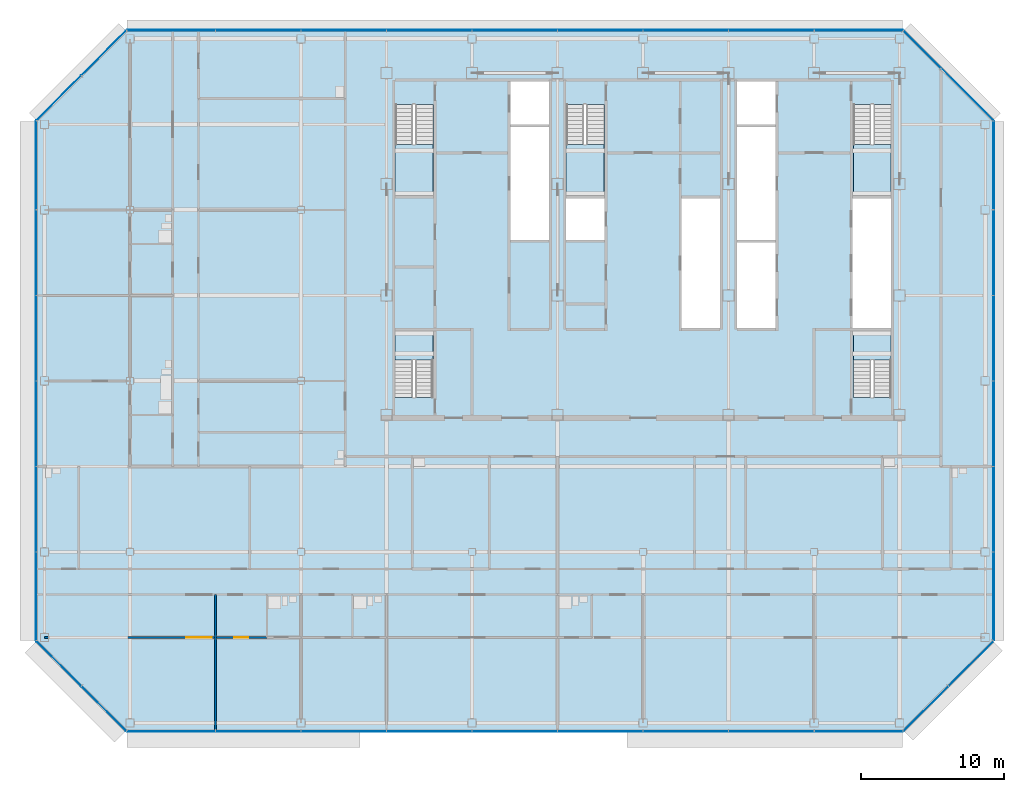
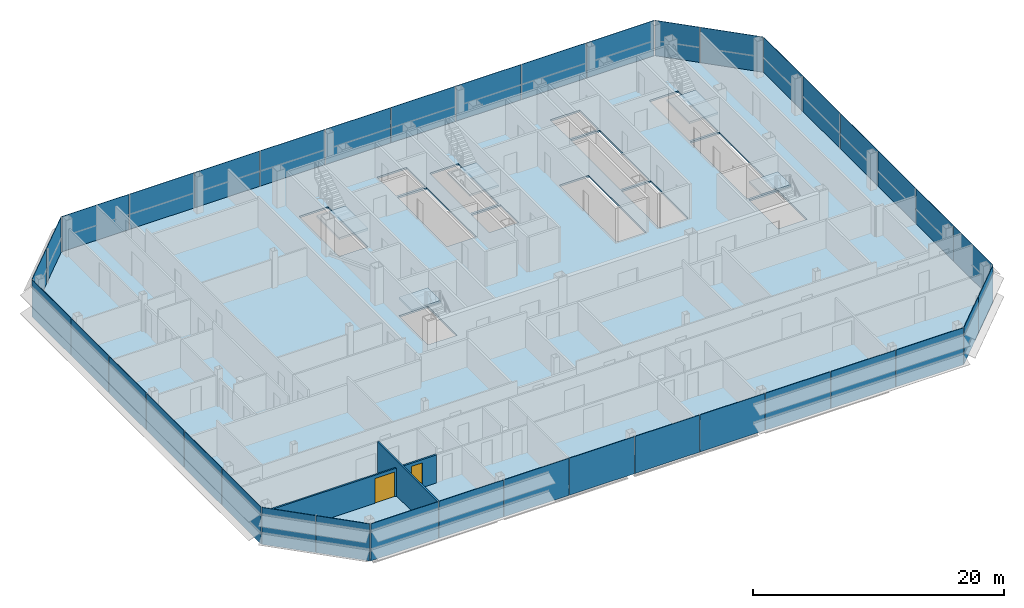
# One storey, part 19 of 27: 38 plates, 6 slabs, 2 doors, 2 walls, 2 openings, 13 elements without a shape of their own.
"""IFC4 building model written with IfcOpenShell, lengths in metres."""

from ifc_helpers import new_model, si_unit, direction, frame, frame_2d, origin, origin_2d, place, context, subcontext, project, spatial, polyline, rectangle, outline, extrude, material, layer, layer_set, type_object, element, fill, aggregate, save


model = new_model("IFC4")

# Units and contexts
model_context = context("Model", 3, precision=1e-05, world=origin(), true_north=direction((0.0, 1.0)))
body_context = subcontext(model_context, "Body", "Model", "MODEL_VIEW")
ifc_project = project(units=[si_unit("LENGTHUNIT", "METRE"), si_unit("AREAUNIT", "SQUARE_METRE"), si_unit("VOLUMEUNIT", "CUBIC_METRE"), si_unit("PLANEANGLEUNIT", "RADIAN"), si_unit("MASSUNIT", "GRAM", prefix="KILO")], contexts=[model_context])

# Site, building, storey
site_placement = place(None, origin())
site = spatial("IfcSite", under=ifc_project, at=site_placement, CompositionType="ELEMENT")
building_placement = place(site_placement, origin())
building = spatial("IfcBuilding", under=site, at=building_placement, Name="Sorahane Residences", CompositionType="ELEMENT")
storey_placement = place(building_placement, frame((0.0, 0.0, 294.39990234375)))
storey = spatial("IfcBuildingStorey", under=building, at=storey_placement, Name="L69", CompositionType="ELEMENT", Elevation=294.39990234375)

# Slab
ifc_material_1 = material(Name="Concrete C35", Category="concrete")
ifc_layer_1 = layer(ifc_material_1, 0.179931640625)
ifc_layer_set_1 = layer_set([ifc_layer_1], Name="Composite floor slab 180 mm Concrete C35")
slab_type_1 = type_object("IfcSlabType", Name="Composite floor slab 180 mm Concrete C35", PredefinedType="FLOOR", material=ifc_layer_set_1)
slab_1_placement = place(storey_placement, frame((0.0, 0.0, -0.179931640625)))
element("IfcSlab", 1, at=slab_1_placement, inside=storey, type_object=slab_type_1, Name="Slab L69", PredefinedType="FLOOR", context=body_context, shape_type="SweptSolid", body=[
    extrude(outline(polyline([(-12.24853515625, -0.60009765625), (-18.60009765625, 5.75146484375), (-18.60009765625, 42.24853515625), (-12.24853515625, 48.60009765625), (42.24853515625, 48.60009765625), (48.60009765625, 42.24853515625), (48.60009765625, 5.75146484375), (42.24853515625, -0.60009765625), (-12.24853515625, -0.60009765625)]), holes=[polyline([(38.699951171875, 27.699951171875), (41.39990234375, 27.699951171875), (41.39990234375, 36.800048828125), (38.699951171875, 36.800048828125), (38.699951171875, 27.699951171875)]), polyline([(30.60009765625, 27.699951171875), (33.300048828125, 27.699951171875), (33.300048828125, 33.699951171875), (30.60009765625, 33.699951171875), (30.60009765625, 27.699951171875)]), polyline([(30.60009765625, 42.0), (33.300048828125, 42.0), (33.300048828125, 45.0), (30.60009765625, 45.0), (30.60009765625, 42.0)]), polyline([(14.699951171875, 42.0), (17.39990234375, 42.0), (17.39990234375, 45.0), (14.699951171875, 45.0), (14.699951171875, 42.0)]), polyline([(6.60009765625, 43.39990234375), (6.60009765625, 37.0), (9.25, 37.0), (9.25, 43.39990234375), (6.60009765625, 43.39990234375)]), polyline([(38.75, 43.39990234375), (38.75, 37.0), (41.39990234375, 37.0), (41.39990234375, 43.39990234375), (38.75, 43.39990234375)]), polyline([(18.60009765625, 43.39990234375), (18.60009765625, 37.0), (21.25, 37.0), (21.25, 43.39990234375), (18.60009765625, 43.39990234375)]), polyline([(9.25, 22.85009765625), (9.25, 27.5), (6.60009765625, 27.5), (6.60009765625, 22.85009765625), (9.25, 22.85009765625)]), polyline([(41.39990234375, 22.85009765625), (41.39990234375, 27.5), (38.75, 27.5), (38.75, 22.85009765625), (41.39990234375, 22.85009765625)]), polyline([(14.699951171875, 33.89990234375), (17.39990234375, 33.89990234375), (17.39990234375, 41.800048828125), (14.699951171875, 41.800048828125), (14.699951171875, 33.89990234375)]), polyline([(30.60009765625, 33.89990234375), (33.300048828125, 33.89990234375), (33.300048828125, 41.800048828125), (30.60009765625, 41.800048828125), (30.60009765625, 33.89990234375)]), polyline([(18.60009765625, 33.89990234375), (21.300048828125, 33.89990234375), (21.300048828125, 36.800048828125), (18.60009765625, 36.800048828125), (18.60009765625, 33.89990234375)]), polyline([(26.699951171875, 27.699951171875), (29.39990234375, 27.699951171875), (29.39990234375, 36.800048828125), (26.699951171875, 36.800048828125), (26.699951171875, 27.699951171875)])]), origin(), (0.0, 0.0, 1.0), 0.179931640625),
])

# Curtain wall, plates
ifc_material_2 = material(Name="Dark low-e glass and black anodised aluminium", Category="aluminium")
curtain_wall_type_1 = type_object("IfcCurtainWallType", Name="Curtain wall CW-1 Typical unitised wall", PredefinedType="NOTDEFINED", material=ifc_material_2)
curtain_wall_1_placement = place(storey_placement, origin())
curtain_wall_1 = element("IfcCurtainWall", 2, at=curtain_wall_1_placement, inside=storey, type_object=curtain_wall_type_1, Name="CW-1 curtain wall L69 S1", PredefinedType="NOTDEFINED")
ifc_material_3 = material(Name="Dark low-e glass with black ceramic frit", Category="glass")
ifc_layer_2 = layer(ifc_material_3, 0.0400390625)
ifc_layer_set_2 = layer_set([ifc_layer_2], Name="Curtain wall glass panel dark low-e with black frit spandrel band")
plate_type = type_object("IfcPlateType", Name="Curtain wall glass panel dark low-e with black frit spandrel band", PredefinedType="CURTAIN_PANEL", material=ifc_layer_set_2)
plate_1_placement = place(storey_placement, frame((-9.11181640625, -0.60009765625, -0.179931640625), z_axis=(0.0, 0.0, 1.0), x_axis=(1.0, 0.0, 0.0)))
plate_1 = element("IfcPlate", 3, at=plate_1_placement, type_object=plate_type, Name="CW-1 glass panel L69 S1.1", PredefinedType="CURTAIN_PANEL", context=body_context, shape_type="SweptSolid", body=[
    extrude(rectangle(XDim=6.173583984375, YDim=0.0400390625, at=origin_2d()), origin(), (0.0, 0.0, 1.0), 3.60009765625),
])
plate_2_placement = place(storey_placement, frame((-3.0, -0.60009765625, -0.179931640625), z_axis=(0.0, 0.0, 1.0), x_axis=(1.0, 0.0, 0.0)))
plate_2 = element("IfcPlate", 4, at=plate_2_placement, type_object=plate_type, Name="CW-1 glass panel L69 S1.2", PredefinedType="CURTAIN_PANEL", context=body_context, shape_type="SweptSolid", body=[
    extrude(rectangle(XDim=5.949951171875, YDim=0.0400390625, at=origin_2d()), origin(), (0.0, 0.0, 1.0), 3.60009765625),
])
plate_3_placement = place(storey_placement, frame((3.0, -0.60009765625, -0.179931640625), z_axis=(0.0, 0.0, 1.0), x_axis=(1.0, 0.0, 0.0)))
plate_3 = element("IfcPlate", 5, at=plate_3_placement, type_object=plate_type, Name="CW-1 glass panel L69 S1.3", PredefinedType="CURTAIN_PANEL", context=body_context, shape_type="SweptSolid", body=[
    extrude(rectangle(XDim=5.949951171875, YDim=0.0400390625, at=origin_2d()), origin(), (0.0, 0.0, 1.0), 3.60009765625),
])
plate_4_placement = place(storey_placement, frame((9.0, -0.60009765625, -0.179931640625), z_axis=(0.0, 0.0, 1.0), x_axis=(1.0, 0.0, 0.0)))
plate_4 = element("IfcPlate", 6, at=plate_4_placement, type_object=plate_type, Name="CW-1 glass panel L69 S1.4", PredefinedType="CURTAIN_PANEL", context=body_context, shape_type="SweptSolid", body=[
    extrude(rectangle(XDim=5.949951171875, YDim=0.0400390625, at=origin_2d()), origin(), (0.0, 0.0, 1.0), 3.60009765625),
])
plate_5_placement = place(storey_placement, frame((15.0, -0.60009765625, -0.179931640625), z_axis=(0.0, 0.0, 1.0), x_axis=(1.0, 0.0, 0.0)))
plate_5 = element("IfcPlate", 7, at=plate_5_placement, type_object=plate_type, Name="CW-1 glass panel L69 S1.5", PredefinedType="CURTAIN_PANEL", context=body_context, shape_type="SweptSolid", body=[
    extrude(rectangle(XDim=5.949951171875, YDim=0.0400390625, at=origin_2d()), origin(), (0.0, 0.0, 1.0), 3.60009765625),
])
plate_6_placement = place(storey_placement, frame((21.0, -0.60009765625, -0.179931640625), z_axis=(0.0, 0.0, 1.0), x_axis=(1.0, 0.0, 0.0)))
plate_6 = element("IfcPlate", 8, at=plate_6_placement, type_object=plate_type, Name="CW-1 glass panel L69 S1.6", PredefinedType="CURTAIN_PANEL", context=body_context, shape_type="SweptSolid", body=[
    extrude(rectangle(XDim=5.949951171875, YDim=0.0400390625, at=origin_2d()), origin(), (0.0, 0.0, 1.0), 3.60009765625),
])
plate_7_placement = place(storey_placement, frame((27.0, -0.60009765625, -0.179931640625), z_axis=(0.0, 0.0, 1.0), x_axis=(1.0, 0.0, 0.0)))
plate_7 = element("IfcPlate", 9, at=plate_7_placement, type_object=plate_type, Name="CW-1 glass panel L69 S1.7", PredefinedType="CURTAIN_PANEL", context=body_context, shape_type="SweptSolid", body=[
    extrude(rectangle(XDim=5.949951171875, YDim=0.0400390625, at=origin_2d()), origin(), (0.0, 0.0, 1.0), 3.60009765625),
])
plate_8_placement = place(storey_placement, frame((33.0, -0.60009765625, -0.179931640625), z_axis=(0.0, 0.0, 1.0), x_axis=(1.0, 0.0, 0.0)))
plate_8 = element("IfcPlate", 10, at=plate_8_placement, type_object=plate_type, Name="CW-1 glass panel L69 S1.8", PredefinedType="CURTAIN_PANEL", context=body_context, shape_type="SweptSolid", body=[
    extrude(rectangle(XDim=5.949951171875, YDim=0.0400390625, at=origin_2d()), origin(), (0.0, 0.0, 1.0), 3.60009765625),
])
plate_9_placement = place(storey_placement, frame((39.11181640625, -0.60009765625, -0.179931640625), z_axis=(0.0, 0.0, 1.0), x_axis=(1.0, 0.0, 0.0)))
plate_9 = element("IfcPlate", 11, at=plate_9_placement, type_object=plate_type, Name="CW-1 glass panel L69 S1.9", PredefinedType="CURTAIN_PANEL", context=body_context, shape_type="SweptSolid", body=[
    extrude(rectangle(XDim=6.173583984375, YDim=0.0400390625, at=origin_2d()), origin(), (0.0, 0.0, 1.0), 3.60009765625),
])
aggregate(curtain_wall_1, [plate_1, plate_2, plate_3, plate_4, plate_5, plate_6, plate_7, plate_8, plate_9])

ifc_material_4 = material(Name="Dark low-e glass and black anodised aluminium", Category="aluminium")
curtain_wall_type_2 = type_object("IfcCurtainWallType", Name="Curtain wall CW-2 Chamfer unitised wall", PredefinedType="NOTDEFINED", material=ifc_material_4)
curtain_wall_2_placement = place(storey_placement, origin())
curtain_wall_2 = element("IfcCurtainWall", 12, at=curtain_wall_2_placement, inside=storey, type_object=curtain_wall_type_2, Name="CW-2 curtain wall L69 SE1", PredefinedType="NOTDEFINED")
plate_10_placement = place(storey_placement, frame((43.84521484375, 0.996826171875, -0.179931640625), z_axis=(0.0, 0.0, 1.0), x_axis=(0.707106781187, 0.707106781187, 0.0)))
plate_10 = element("IfcPlate", 13, at=plate_10_placement, type_object=plate_type, Name="CW-2 glass panel L69 SE1.1", PredefinedType="CURTAIN_PANEL", context=body_context, shape_type="SweptSolid", body=[
    extrude(rectangle(XDim=4.416259765625, YDim=0.0400390625, at=origin_2d()), origin(), (0.0, 0.0, 1.0), 3.60009765625),
])
plate_11_placement = place(storey_placement, frame((47.003173828125, 4.15478515625, -0.179931640625), z_axis=(0.0, 0.0, 1.0), x_axis=(0.707106781187, 0.707106781187, 0.0)))
plate_11 = element("IfcPlate", 14, at=plate_11_placement, type_object=plate_type, Name="CW-2 glass panel L69 SE1.2", PredefinedType="CURTAIN_PANEL", context=body_context, shape_type="SweptSolid", body=[
    extrude(rectangle(XDim=4.416259765625, YDim=0.0400390625, at=origin_2d()), origin(), (0.0, 0.0, 1.0), 3.60009765625),
])
aggregate(curtain_wall_2, [plate_10, plate_11])

curtain_wall_3_placement = place(storey_placement, origin())
curtain_wall_3 = element("IfcCurtainWall", 15, at=curtain_wall_3_placement, inside=storey, type_object=curtain_wall_type_1, Name="CW-1 curtain wall L69 E1", PredefinedType="NOTDEFINED")
plate_12_placement = place(storey_placement, frame((48.60009765625, 8.88818359375, -0.179931640625), z_axis=(0.0, 0.0, 1.0), x_axis=(0.0, 1.0, 0.0)))
plate_12 = element("IfcPlate", 16, at=plate_12_placement, type_object=plate_type, Name="CW-1 glass panel L69 E1.1", PredefinedType="CURTAIN_PANEL", context=body_context, shape_type="SweptSolid", body=[
    extrude(rectangle(XDim=6.173583984375, YDim=0.0400390625, at=origin_2d()), origin(), (0.0, 0.0, 1.0), 3.60009765625),
])
plate_13_placement = place(storey_placement, frame((48.60009765625, 15.0, -0.179931640625), z_axis=(0.0, 0.0, 1.0), x_axis=(0.0, 1.0, 0.0)))
plate_13 = element("IfcPlate", 17, at=plate_13_placement, type_object=plate_type, Name="CW-1 glass panel L69 E1.2", PredefinedType="CURTAIN_PANEL", context=body_context, shape_type="SweptSolid", body=[
    extrude(rectangle(XDim=5.949951171875, YDim=0.0400390625, at=origin_2d()), origin(), (0.0, 0.0, 1.0), 3.60009765625),
])
plate_14_placement = place(storey_placement, frame((48.60009765625, 21.0, -0.179931640625), z_axis=(0.0, 0.0, 1.0), x_axis=(0.0, 1.0, 0.0)))
plate_14 = element("IfcPlate", 18, at=plate_14_placement, type_object=plate_type, Name="CW-1 glass panel L69 E1.3", PredefinedType="CURTAIN_PANEL", context=body_context, shape_type="SweptSolid", body=[
    extrude(rectangle(XDim=5.949951171875, YDim=0.0400390625, at=origin_2d()), origin(), (0.0, 0.0, 1.0), 3.60009765625),
])
plate_15_placement = place(storey_placement, frame((48.60009765625, 27.0, -0.179931640625), z_axis=(0.0, 0.0, 1.0), x_axis=(0.0, 1.0, 0.0)))
plate_15 = element("IfcPlate", 19, at=plate_15_placement, type_object=plate_type, Name="CW-1 glass panel L69 E1.4", PredefinedType="CURTAIN_PANEL", context=body_context, shape_type="SweptSolid", body=[
    extrude(rectangle(XDim=5.949951171875, YDim=0.0400390625, at=origin_2d()), origin(), (0.0, 0.0, 1.0), 3.60009765625),
])
plate_16_placement = place(storey_placement, frame((48.60009765625, 33.0, -0.179931640625), z_axis=(0.0, 0.0, 1.0), x_axis=(0.0, 1.0, 0.0)))
plate_16 = element("IfcPlate", 20, at=plate_16_placement, type_object=plate_type, Name="CW-1 glass panel L69 E1.5", PredefinedType="CURTAIN_PANEL", context=body_context, shape_type="SweptSolid", body=[
    extrude(rectangle(XDim=5.949951171875, YDim=0.0400390625, at=origin_2d()), origin(), (0.0, 0.0, 1.0), 3.60009765625),
])
plate_17_placement = place(storey_placement, frame((48.60009765625, 39.11181640625, -0.179931640625), z_axis=(0.0, 0.0, 1.0), x_axis=(0.0, 1.0, 0.0)))
plate_17 = element("IfcPlate", 21, at=plate_17_placement, type_object=plate_type, Name="CW-1 glass panel L69 E1.6", PredefinedType="CURTAIN_PANEL", context=body_context, shape_type="SweptSolid", body=[
    extrude(rectangle(XDim=6.173583984375, YDim=0.0400390625, at=origin_2d()), origin(), (0.0, 0.0, 1.0), 3.60009765625),
])
aggregate(curtain_wall_3, [plate_12, plate_13, plate_14, plate_15, plate_16, plate_17])

curtain_wall_4_placement = place(storey_placement, origin())
curtain_wall_4 = element("IfcCurtainWall", 22, at=curtain_wall_4_placement, inside=storey, type_object=curtain_wall_type_2, Name="CW-2 curtain wall L69 NE1", PredefinedType="NOTDEFINED")
plate_18_placement = place(storey_placement, frame((46.740966796875, 44.107421875, -0.179931640625), z_axis=(0.0, 0.0, 1.0), x_axis=(-0.707106781187, 0.707106781187, 0.0)))
plate_18 = element("IfcPlate", 23, at=plate_18_placement, type_object=plate_type, Name="CW-2 glass panel L69 NE1.1", PredefinedType="CURTAIN_PANEL", context=body_context, shape_type="SweptSolid", body=[
    extrude(rectangle(XDim=5.157958984375, YDim=0.0400390625, at=origin_2d()), origin(), (0.0, 0.0, 1.0), 3.60009765625),
])
plate_19_placement = place(storey_placement, frame((43.5830078125, 47.265625, -0.179931640625), z_axis=(0.0, 0.0, 1.0), x_axis=(-0.707106781187, 0.707106781187, 0.0)))
plate_19 = element("IfcPlate", 24, at=plate_19_placement, type_object=plate_type, Name="CW-2 glass panel L69 NE1.2", PredefinedType="CURTAIN_PANEL", context=body_context, shape_type="SweptSolid", body=[
    extrude(rectangle(XDim=3.67431640625, YDim=0.0400390625, at=origin_2d()), origin(), (0.0, 0.0, 1.0), 3.60009765625),
])
aggregate(curtain_wall_4, [plate_18, plate_19])

curtain_wall_5_placement = place(storey_placement, origin())
curtain_wall_5 = element("IfcCurtainWall", 25, at=curtain_wall_5_placement, inside=storey, type_object=curtain_wall_type_1, Name="CW-1 curtain wall L69 N1", PredefinedType="NOTDEFINED")
plate_20_placement = place(storey_placement, frame((39.11181640625, 48.60009765625, -0.179931640625), z_axis=(0.0, 0.0, 1.0), x_axis=(-1.0, 0.0, 0.0)))
plate_20 = element("IfcPlate", 26, at=plate_20_placement, type_object=plate_type, Name="CW-1 glass panel L69 N1.1", PredefinedType="CURTAIN_PANEL", context=body_context, shape_type="SweptSolid", body=[
    extrude(rectangle(XDim=6.173583984375, YDim=0.0400390625, at=origin_2d()), origin(), (0.0, 0.0, 1.0), 3.60009765625),
])
plate_21_placement = place(storey_placement, frame((33.0, 48.60009765625, -0.179931640625), z_axis=(0.0, 0.0, 1.0), x_axis=(-1.0, 0.0, 0.0)))
plate_21 = element("IfcPlate", 27, at=plate_21_placement, type_object=plate_type, Name="CW-1 glass panel L69 N1.2", PredefinedType="CURTAIN_PANEL", context=body_context, shape_type="SweptSolid", body=[
    extrude(rectangle(XDim=5.949951171875, YDim=0.0400390625, at=origin_2d()), origin(), (0.0, 0.0, 1.0), 3.60009765625),
])
plate_22_placement = place(storey_placement, frame((27.0, 48.60009765625, -0.179931640625), z_axis=(0.0, 0.0, 1.0), x_axis=(-1.0, 0.0, 0.0)))
plate_22 = element("IfcPlate", 28, at=plate_22_placement, type_object=plate_type, Name="CW-1 glass panel L69 N1.3", PredefinedType="CURTAIN_PANEL", context=body_context, shape_type="SweptSolid", body=[
    extrude(rectangle(XDim=5.949951171875, YDim=0.0400390625, at=origin_2d()), origin(), (0.0, 0.0, 1.0), 3.60009765625),
])
plate_23_placement = place(storey_placement, frame((21.0, 48.60009765625, -0.179931640625), z_axis=(0.0, 0.0, 1.0), x_axis=(-1.0, 0.0, 0.0)))
plate_23 = element("IfcPlate", 29, at=plate_23_placement, type_object=plate_type, Name="CW-1 glass panel L69 N1.4", PredefinedType="CURTAIN_PANEL", context=body_context, shape_type="SweptSolid", body=[
    extrude(rectangle(XDim=5.949951171875, YDim=0.0400390625, at=origin_2d()), origin(), (0.0, 0.0, 1.0), 3.60009765625),
])
plate_24_placement = place(storey_placement, frame((15.0, 48.60009765625, -0.179931640625), z_axis=(0.0, 0.0, 1.0), x_axis=(-1.0, 0.0, 0.0)))
plate_24 = element("IfcPlate", 30, at=plate_24_placement, type_object=plate_type, Name="CW-1 glass panel L69 N1.5", PredefinedType="CURTAIN_PANEL", context=body_context, shape_type="SweptSolid", body=[
    extrude(rectangle(XDim=5.949951171875, YDim=0.0400390625, at=origin_2d()), origin(), (0.0, 0.0, 1.0), 3.60009765625),
])
plate_25_placement = place(storey_placement, frame((9.0, 48.60009765625, -0.179931640625), z_axis=(0.0, 0.0, 1.0), x_axis=(-1.0, 0.0, 0.0)))
plate_25 = element("IfcPlate", 31, at=plate_25_placement, type_object=plate_type, Name="CW-1 glass panel L69 N1.6", PredefinedType="CURTAIN_PANEL", context=body_context, shape_type="SweptSolid", body=[
    extrude(rectangle(XDim=5.949951171875, YDim=0.0400390625, at=origin_2d()), origin(), (0.0, 0.0, 1.0), 3.60009765625),
])
plate_26_placement = place(storey_placement, frame((3.0, 48.60009765625, -0.179931640625), z_axis=(0.0, 0.0, 1.0), x_axis=(-1.0, 0.0, 0.0)))
plate_26 = element("IfcPlate", 32, at=plate_26_placement, type_object=plate_type, Name="CW-1 glass panel L69 N1.7", PredefinedType="CURTAIN_PANEL", context=body_context, shape_type="SweptSolid", body=[
    extrude(rectangle(XDim=5.949951171875, YDim=0.0400390625, at=origin_2d()), origin(), (0.0, 0.0, 1.0), 3.60009765625),
])
plate_27_placement = place(storey_placement, frame((-3.0, 48.60009765625, -0.179931640625), z_axis=(0.0, 0.0, 1.0), x_axis=(-1.0, 0.0, 0.0)))
plate_27 = element("IfcPlate", 33, at=plate_27_placement, type_object=plate_type, Name="CW-1 glass panel L69 N1.8", PredefinedType="CURTAIN_PANEL", context=body_context, shape_type="SweptSolid", body=[
    extrude(rectangle(XDim=5.949951171875, YDim=0.0400390625, at=origin_2d()), origin(), (0.0, 0.0, 1.0), 3.60009765625),
])
plate_28_placement = place(storey_placement, frame((-9.11181640625, 48.60009765625, -0.179931640625), z_axis=(0.0, 0.0, 1.0), x_axis=(-1.0, 0.0, 0.0)))
plate_28 = element("IfcPlate", 34, at=plate_28_placement, type_object=plate_type, Name="CW-1 glass panel L69 N1.9", PredefinedType="CURTAIN_PANEL", context=body_context, shape_type="SweptSolid", body=[
    extrude(rectangle(XDim=6.173583984375, YDim=0.0400390625, at=origin_2d()), origin(), (0.0, 0.0, 1.0), 3.60009765625),
])
aggregate(curtain_wall_5, [plate_20, plate_21, plate_22, plate_23, plate_24, plate_25, plate_26, plate_27, plate_28])

curtain_wall_6_placement = place(storey_placement, origin())
curtain_wall_6 = element("IfcCurtainWall", 35, at=curtain_wall_6_placement, inside=storey, type_object=curtain_wall_type_2, Name="CW-2 curtain wall L69 NW1", PredefinedType="NOTDEFINED")
plate_29_placement = place(storey_placement, frame((-13.84521484375, 47.003173828125, -0.179931640625), z_axis=(0.0, 0.0, 1.0), x_axis=(-0.707106781187, -0.707106781187, 0.0)))
plate_29 = element("IfcPlate", 36, at=plate_29_placement, type_object=plate_type, Name="CW-2 glass panel L69 NW1.1", PredefinedType="CURTAIN_PANEL", context=body_context, shape_type="SweptSolid", body=[
    extrude(rectangle(XDim=4.416259765625, YDim=0.0400390625, at=origin_2d()), origin(), (0.0, 0.0, 1.0), 3.60009765625),
])
plate_30_placement = place(storey_placement, frame((-17.003173828125, 43.84521484375, -0.179931640625), z_axis=(0.0, 0.0, 1.0), x_axis=(-0.707106781187, -0.707106781187, 0.0)))
plate_30 = element("IfcPlate", 37, at=plate_30_placement, type_object=plate_type, Name="CW-2 glass panel L69 NW1.2", PredefinedType="CURTAIN_PANEL", context=body_context, shape_type="SweptSolid", body=[
    extrude(rectangle(XDim=4.416259765625, YDim=0.0400390625, at=origin_2d()), origin(), (0.0, 0.0, 1.0), 3.60009765625),
])
aggregate(curtain_wall_6, [plate_29, plate_30])

curtain_wall_7_placement = place(storey_placement, origin())
curtain_wall_7 = element("IfcCurtainWall", 38, at=curtain_wall_7_placement, inside=storey, type_object=curtain_wall_type_1, Name="CW-1 curtain wall L69 W1", PredefinedType="NOTDEFINED")
plate_31_placement = place(storey_placement, frame((-18.60009765625, 39.11181640625, -0.179931640625), z_axis=(0.0, 0.0, 1.0), x_axis=(0.0, -1.0, 0.0)))
plate_31 = element("IfcPlate", 39, at=plate_31_placement, type_object=plate_type, Name="CW-1 glass panel L69 W1.1", PredefinedType="CURTAIN_PANEL", context=body_context, shape_type="SweptSolid", body=[
    extrude(rectangle(XDim=6.173583984375, YDim=0.0400390625, at=origin_2d()), origin(), (0.0, 0.0, 1.0), 3.60009765625),
])
plate_32_placement = place(storey_placement, frame((-18.60009765625, 33.0, -0.179931640625), z_axis=(0.0, 0.0, 1.0), x_axis=(0.0, -1.0, 0.0)))
plate_32 = element("IfcPlate", 40, at=plate_32_placement, type_object=plate_type, Name="CW-1 glass panel L69 W1.2", PredefinedType="CURTAIN_PANEL", context=body_context, shape_type="SweptSolid", body=[
    extrude(rectangle(XDim=5.949951171875, YDim=0.0400390625, at=origin_2d()), origin(), (0.0, 0.0, 1.0), 3.60009765625),
])
plate_33_placement = place(storey_placement, frame((-18.60009765625, 27.0, -0.179931640625), z_axis=(0.0, 0.0, 1.0), x_axis=(0.0, -1.0, 0.0)))
plate_33 = element("IfcPlate", 41, at=plate_33_placement, type_object=plate_type, Name="CW-1 glass panel L69 W1.3", PredefinedType="CURTAIN_PANEL", context=body_context, shape_type="SweptSolid", body=[
    extrude(rectangle(XDim=5.949951171875, YDim=0.0400390625, at=origin_2d()), origin(), (0.0, 0.0, 1.0), 3.60009765625),
])
plate_34_placement = place(storey_placement, frame((-18.60009765625, 21.0, -0.179931640625), z_axis=(0.0, 0.0, 1.0), x_axis=(0.0, -1.0, 0.0)))
plate_34 = element("IfcPlate", 42, at=plate_34_placement, type_object=plate_type, Name="CW-1 glass panel L69 W1.4", PredefinedType="CURTAIN_PANEL", context=body_context, shape_type="SweptSolid", body=[
    extrude(rectangle(XDim=5.949951171875, YDim=0.0400390625, at=origin_2d()), origin(), (0.0, 0.0, 1.0), 3.60009765625),
])
plate_35_placement = place(storey_placement, frame((-18.60009765625, 15.0, -0.179931640625), z_axis=(0.0, 0.0, 1.0), x_axis=(0.0, -1.0, 0.0)))
plate_35 = element("IfcPlate", 43, at=plate_35_placement, type_object=plate_type, Name="CW-1 glass panel L69 W1.5", PredefinedType="CURTAIN_PANEL", context=body_context, shape_type="SweptSolid", body=[
    extrude(rectangle(XDim=5.949951171875, YDim=0.0400390625, at=origin_2d()), origin(), (0.0, 0.0, 1.0), 3.60009765625),
])
plate_36_placement = place(storey_placement, frame((-18.60009765625, 8.88818359375, -0.179931640625), z_axis=(0.0, 0.0, 1.0), x_axis=(0.0, -1.0, 0.0)))
plate_36 = element("IfcPlate", 44, at=plate_36_placement, type_object=plate_type, Name="CW-1 glass panel L69 W1.6", PredefinedType="CURTAIN_PANEL", context=body_context, shape_type="SweptSolid", body=[
    extrude(rectangle(XDim=6.173583984375, YDim=0.0400390625, at=origin_2d()), origin(), (0.0, 0.0, 1.0), 3.60009765625),
])
aggregate(curtain_wall_7, [plate_31, plate_32, plate_33, plate_34, plate_35, plate_36])

curtain_wall_8_placement = place(storey_placement, origin())
curtain_wall_8 = element("IfcCurtainWall", 45, at=curtain_wall_8_placement, inside=storey, type_object=curtain_wall_type_2, Name="CW-2 curtain wall L69 SW1", PredefinedType="NOTDEFINED")
plate_37_placement = place(storey_placement, frame((-17.003173828125, 4.15478515625, -0.179931640625), z_axis=(0.0, 0.0, 1.0), x_axis=(0.707106781187, -0.707106781187, 0.0)))
plate_37 = element("IfcPlate", 46, at=plate_37_placement, type_object=plate_type, Name="CW-2 glass panel L69 SW1.1", PredefinedType="CURTAIN_PANEL", context=body_context, shape_type="SweptSolid", body=[
    extrude(rectangle(XDim=4.416259765625, YDim=0.0400390625, at=origin_2d()), origin(), (0.0, 0.0, 1.0), 3.60009765625),
])
plate_38_placement = place(storey_placement, frame((-13.84521484375, 0.996826171875, -0.179931640625), z_axis=(0.0, 0.0, 1.0), x_axis=(0.707106781187, -0.707106781187, 0.0)))
plate_38 = element("IfcPlate", 47, at=plate_38_placement, type_object=plate_type, Name="CW-2 glass panel L69 SW1.2", PredefinedType="CURTAIN_PANEL", context=body_context, shape_type="SweptSolid", body=[
    extrude(rectangle(XDim=4.416259765625, YDim=0.0400390625, at=origin_2d()), origin(), (0.0, 0.0, 1.0), 3.60009765625),
])
aggregate(curtain_wall_8, [plate_37, plate_38])

# Stair, slab
ifc_material_5 = material(Name="Concrete C40", Category="concrete")
stair_type = type_object("IfcStairType", Name="Dog-leg stair 1250 Concrete C40", PredefinedType="HALF_TURN_STAIR", material=ifc_material_5)
stair_1_placement = place(storey_placement, origin())
stair_1 = element("IfcStair", 48, at=stair_1_placement, inside=storey, type_object=stair_type, Name="L69 Stair S1", PredefinedType="HALF_TURN_STAIR")
ifc_material_6 = material(Name="Concrete C40", Category="concrete")
ifc_layer_3 = layer(ifc_material_6, 0.199951171875)
ifc_layer_set_3 = layer_set([ifc_layer_3], Name="Stair landing 200 Concrete C40")
slab_type_2 = type_object("IfcSlabType", Name="Stair landing 200 Concrete C40", PredefinedType="LANDING", material=ifc_layer_set_3)
slab_2_placement = place(storey_placement, frame((0.0, 0.0, 1.60009765625)))
slab_2 = element("IfcSlab", 49, at=slab_2_placement, type_object=slab_type_2, Name="S1 landing 1", PredefinedType="LANDING", context=body_context, shape_type="SweptSolid", body=[
    extrude(outline(polyline([(6.60009765625, 40.60009765625), (6.60009765625, 37.0), (9.25, 37.0), (9.25, 40.60009765625), (6.60009765625, 40.60009765625)])), origin(), (0.0, 0.0, 1.0), 0.199951171875),
])
aggregate(stair_1, [slab_2])

stair_2_placement = place(storey_placement, origin())
stair_2 = element("IfcStair", 50, at=stair_2_placement, inside=storey, type_object=stair_type, Name="L69 Stair S2", PredefinedType="HALF_TURN_STAIR")
slab_3_placement = place(storey_placement, frame((0.0, 0.0, 1.60009765625)))
slab_3 = element("IfcSlab", 51, at=slab_3_placement, type_object=slab_type_2, Name="S2 landing 1", PredefinedType="LANDING", context=body_context, shape_type="SweptSolid", body=[
    extrude(outline(polyline([(38.75, 40.60009765625), (38.75, 37.0), (41.39990234375, 37.0), (41.39990234375, 40.60009765625), (38.75, 40.60009765625)])), origin(), (0.0, 0.0, 1.0), 0.199951171875),
])
aggregate(stair_2, [slab_3])

stair_3_placement = place(storey_placement, origin())
stair_3 = element("IfcStair", 52, at=stair_3_placement, inside=storey, type_object=stair_type, Name="L69 Stair S3", PredefinedType="HALF_TURN_STAIR")
slab_4_placement = place(storey_placement, frame((0.0, 0.0, 1.60009765625)))
slab_4 = element("IfcSlab", 53, at=slab_4_placement, type_object=slab_type_2, Name="S3 landing 1", PredefinedType="LANDING", context=body_context, shape_type="SweptSolid", body=[
    extrude(outline(polyline([(18.60009765625, 40.60009765625), (18.60009765625, 37.0), (21.25, 37.0), (21.25, 40.60009765625), (18.60009765625, 40.60009765625)])), origin(), (0.0, 0.0, 1.0), 0.199951171875),
])
aggregate(stair_3, [slab_4])

stair_4_placement = place(storey_placement, origin())
stair_4 = element("IfcStair", 54, at=stair_4_placement, inside=storey, type_object=stair_type, Name="L69 Stair S4", PredefinedType="HALF_TURN_STAIR")
slab_5_placement = place(storey_placement, frame((0.0, 0.0, 1.60009765625)))
slab_5 = element("IfcSlab", 55, at=slab_5_placement, type_object=slab_type_2, Name="S4 landing 1", PredefinedType="LANDING", context=body_context, shape_type="SweptSolid", body=[
    extrude(outline(polyline([(9.25, 25.449951171875), (9.25, 27.5), (6.60009765625, 27.5), (6.60009765625, 25.449951171875), (9.25, 25.449951171875)])), origin(), (0.0, 0.0, 1.0), 0.199951171875),
])
aggregate(stair_4, [slab_5])

stair_5_placement = place(storey_placement, origin())
stair_5 = element("IfcStair", 56, at=stair_5_placement, inside=storey, type_object=stair_type, Name="L69 Stair S5", PredefinedType="HALF_TURN_STAIR")
slab_6_placement = place(storey_placement, frame((0.0, 0.0, 1.60009765625)))
slab_6 = element("IfcSlab", 57, at=slab_6_placement, type_object=slab_type_2, Name="S5 landing 1", PredefinedType="LANDING", context=body_context, shape_type="SweptSolid", body=[
    extrude(outline(polyline([(41.39990234375, 25.449951171875), (41.39990234375, 27.5), (38.75, 27.5), (38.75, 25.449951171875), (41.39990234375, 25.449951171875)])), origin(), (0.0, 0.0, 1.0), 0.199951171875),
])
aggregate(stair_5, [slab_6])

# Wall
ifc_material_7 = material(Name="Gypsum board partition on steel studs", Category="steel")
ifc_layer_4 = layer(ifc_material_7, 0.14990234375)
ifc_layer_set_4 = layer_set([ifc_layer_4], Name="Partition 150 EI 90")
wall_type = type_object("IfcWallType", Name="Partition 150 EI 90", PredefinedType="PARTITIONING", material=ifc_layer_set_4)
wall_1_placement = place(storey_placement, frame((-6.0, -0.60009765625, 0.0), z_axis=(0.0, 0.0, 1.0), x_axis=(0.0, 1.0, 0.0)))
element("IfcWall", 58, at=wall_1_placement, inside=storey, type_object=wall_type, Name="L69 partition", PredefinedType="PARTITIONING", context=body_context, shape_type="SweptSolid", body=[
    extrude(rectangle(XDim=9.60009765625, YDim=0.14990234375, at=frame_2d((4.800048828125, 0.0))), origin(), (0.0, 0.0, 1.0), 3.420166015625),
])

# Wall, openings, doors
wall_2_placement = place(storey_placement, frame((-18.0, 6.0, 0.0), z_axis=(0.0, 0.0, 1.0), x_axis=(1.0, 0.0, 0.0)))
wall_2 = element("IfcWall", 59, at=wall_2_placement, inside=storey, type_object=wall_type, Name="L69 partition", PredefinedType="PARTITIONING", context=body_context, shape_type="SweptSolid", body=[
    extrude(rectangle(XDim=15.60009765625, YDim=0.14990234375, at=frame_2d((7.800048828125, 0.0))), origin(), (0.0, 0.0, 1.0), 2.72021484375),
])
opening_1_placement = place(wall_2_placement, frame((9.949951171875, 0.0, 0.0)))
opening_1 = element("IfcOpeningElement", 60, at=opening_1_placement, cuts=wall_2, Name="Opening L69-10", PredefinedType="OPENING", context=body_context, shape_type="SweptSolid", body=[
    extrude(rectangle(XDim=1.800048828125, YDim=2.39990234375, at=frame_2d((0.89990234375, 1.199951171875))), frame((0.0, 0.0849609375, 0.0), z_axis=(0.0, -1.0, 0.0), x_axis=(1.0, 0.0, 0.0)), (0.0, 0.0, 1.0), 0.169921875),
])
opening_2_placement = place(wall_2_placement, frame((13.300048828125, 0.0, 0.0)))
opening_2 = element("IfcOpeningElement", 61, at=opening_2_placement, cuts=wall_2, Name="Opening L69-11", PredefinedType="OPENING", context=body_context, shape_type="SweptSolid", body=[
    extrude(rectangle(XDim=1.0, YDim=2.39990234375, at=frame_2d((0.5, 1.199951171875))), frame((0.0, 0.0849609375, 0.0), z_axis=(0.0, -1.0, 0.0), x_axis=(1.0, 0.0, 0.0)), (0.0, 0.0, 1.0), 0.169921875),
])
ifc_material_8 = material(Name="Timber veneered fire door", Category="wood")
door_type_1 = type_object("IfcDoorType", Name="Double door 1800x2400 FD30", OperationType="NOTDEFINED", PredefinedType="DOOR", material=ifc_material_8)
door_1_placement = place(opening_1_placement, frame((1.800048828125, 0.0, 0.0), z_axis=(0.0, 0.0, 1.0), x_axis=(-1.0, 0.0, 0.0)))
door_1 = element("IfcDoor", 62, at=door_1_placement, inside=storey, type_object=door_type_1, Name="Double door L69-10", OperationType="SINGLE_SWING_RIGHT", OverallHeight=2.39990234375, OverallWidth=1.800048828125, PredefinedType="DOOR", context=body_context, shape_type="SweptSolid", body=[
    extrude(rectangle(XDim=1.800048828125, YDim=2.39990234375, at=frame_2d((0.89990234375, 1.199951171875))), frame((0.0, 0.02490234375, 0.0), z_axis=(0.0, -1.0, 0.0), x_axis=(1.0, 0.0, 0.0)), (0.0, 0.0, 1.0), 0.050048828125),
])
fill(opening_1, door_1)
ifc_material_9 = material(Name="Timber veneered fire door", Category="wood")
door_type_2 = type_object("IfcDoorType", Name="Room door 1000x2400 FD30", OperationType="NOTDEFINED", PredefinedType="DOOR", material=ifc_material_9)
door_2_placement = place(opening_2_placement, frame((1.0, 0.0, 0.0), z_axis=(0.0, 0.0, 1.0), x_axis=(-1.0, 0.0, 0.0)))
door_2 = element("IfcDoor", 63, at=door_2_placement, inside=storey, type_object=door_type_2, Name="Room door L69-11", OperationType="SINGLE_SWING_LEFT", OverallHeight=2.39990234375, OverallWidth=1.0, PredefinedType="DOOR", context=body_context, shape_type="SweptSolid", body=[
    extrude(rectangle(XDim=1.0, YDim=2.39990234375, at=frame_2d((0.5, 1.199951171875))), frame((0.0, 0.02490234375, 0.0), z_axis=(0.0, -1.0, 0.0), x_axis=(1.0, 0.0, 0.0)), (0.0, 0.0, 1.0), 0.050048828125),
])
fill(opening_2, door_2)

save(model, "model.ifc")
